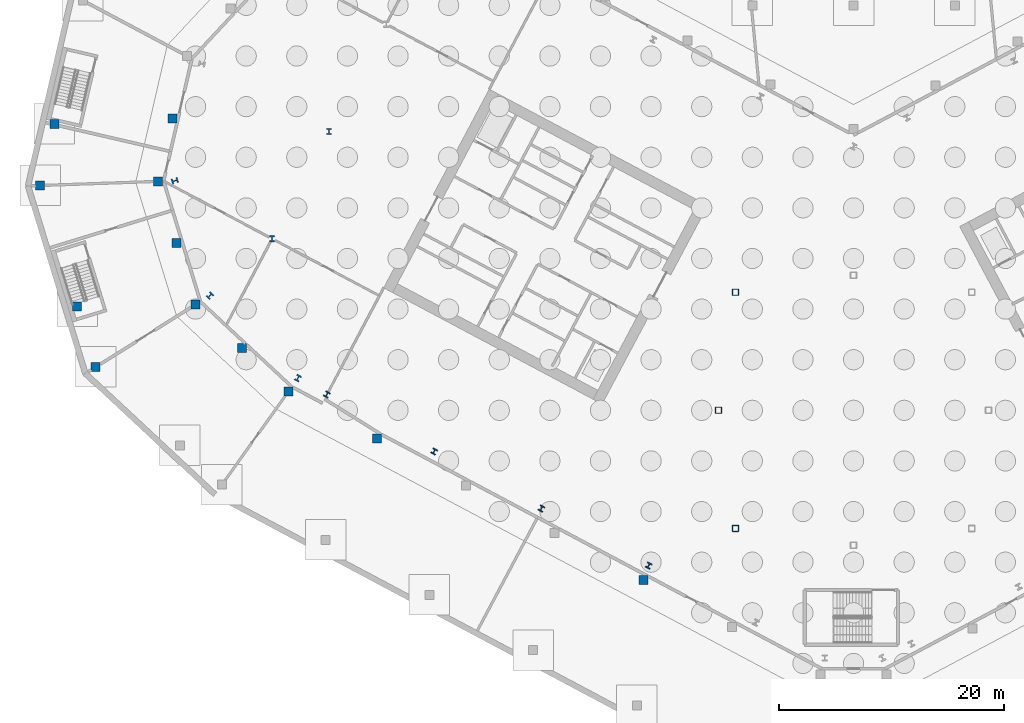
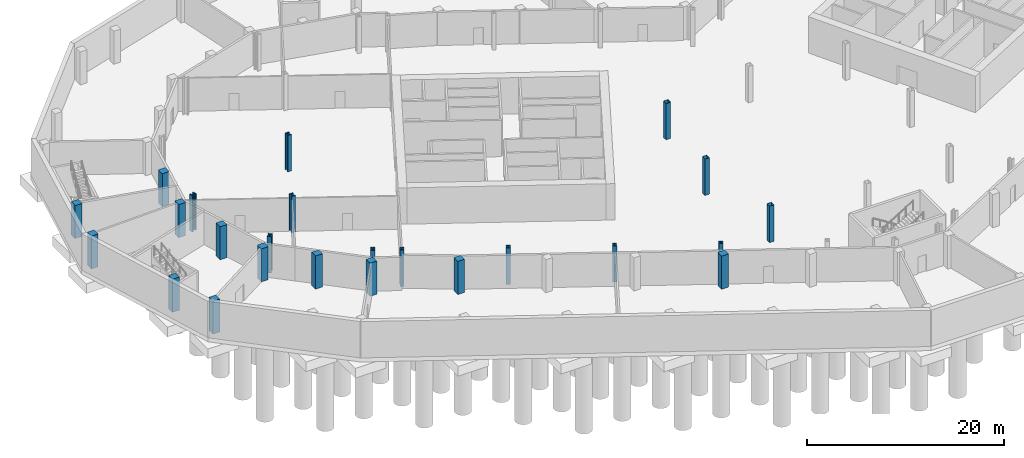
# One storey, part 3 of 29: 24 columns.
"""IFC4 building model written with IfcOpenShell, lengths in metres."""

from ifc_helpers import new_model, si_unit, direction, frame, origin, origin_2d, place, context, subcontext, project, spatial, rectangle, hollow_rectangle, i_section, extrude, material, material_profile, profile_set, type_object, element, save


model = new_model("IFC4")

# Units and contexts
model_context = context("Model", 3, precision=1e-05, world=origin(), true_north=direction((0.0, 1.0)))
body_context = subcontext(model_context, "Body", "Model", "MODEL_VIEW")
ifc_project = project(units=[si_unit("LENGTHUNIT", "METRE"), si_unit("AREAUNIT", "SQUARE_METRE"), si_unit("VOLUMEUNIT", "CUBIC_METRE"), si_unit("PLANEANGLEUNIT", "RADIAN"), si_unit("MASSUNIT", "GRAM", prefix="KILO")], contexts=[model_context])

# Site, building, storey
site_placement = place(None, origin())
site = spatial("IfcSite", under=ifc_project, at=site_placement, CompositionType="ELEMENT")
building_placement = place(site_placement, origin())
building = spatial("IfcBuilding", under=site, at=building_placement, Name="Cormorant Relay Tower", CompositionType="ELEMENT")
storey_placement = place(building_placement, frame((0.0, 0.0, -9.0)))
storey = spatial("IfcBuildingStorey", under=building, at=storey_placement, Name="B2", CompositionType="ELEMENT", Elevation=-9.0)

# Columns
ifc_material_1 = material(Name="Concrete 50 MPa", Category="concrete")
ifc_material_profile_1 = material_profile(ifc_material_1, rectangle(XDim=0.800048828125, YDim=0.800048828125, at=origin_2d()), Name="RC 800x800")
ifc_profile_set_1 = profile_set([ifc_material_profile_1], Name="Concrete 50 MPa")
column_type_1 = type_object("IfcColumnType", Name="Base column 800 x 800", PredefinedType="COLUMN", material=ifc_profile_set_1)
for number, where, z_axis, x_axis, name in (
    (1, (-18.694091796875, -15.090087890625, 0.0), (0.0, 0.0, 1.0), (1.0, 0.0, 0.0), "Base column"),
    (2, (-42.35009765625, -2.511962890625, 0.0), (0.0, 0.0, 1.0), (1.0, 0.0, 0.0), "Base column"),
    (3, (-50.236083984375, 1.680908203125, 0.0), (0.0, 0.0, 1.0), (1.0, 0.0, 0.0), "Base column"),
    (4, (-67.375, 3.85302734375, 0.0), (0.0, 0.0, 1.0), (1.0, 0.0, 0.0), "Base column"),
    (5, (-54.3720703125, 5.5380859375, 0.0), (0.0, 0.0, 1.0), (1.0, 0.0, 0.0), "Base column"),
    (6, (-69.01904296875, 9.23193359375, 0.0), (0.0, 0.0, 1.0), (1.0, 0.0, 0.0), "Base column"),
    (7, (-58.507080078125, 9.39404296875, 0.0), (0.0, 0.0, 1.0), (1.0, 0.0, 0.0), "Base column"),
    (8, (-60.18310546875, 14.8740234375, 0.0), (0.0, 0.0, 1.0), (1.0, 0.0, 0.0), "Base column"),
    (9, (-72.30810546875, 19.989013671875, 0.0), (0.0, 0.0, 1.0), (1.0, 0.0, 0.0), "Base column"),
    (10, (-61.85791015625, 20.35400390625, 0.0), (0.0, 0.0, 1.0), (1.0, 0.0, 0.0), "Base column"),
    (11, (-71.04296875, 25.468994140625, 0.0), (0.0, 0.0, 1.0), (1.0, 0.0, 0.0), "Base column"),
    (12, (-60.569091796875, 25.93701171875, 0.0), (0.0, 0.0, 1.0), (1.0, 0.0, 0.0), "Base column"),
):
    element("IfcColumn", number, at=place(storey_placement, frame(where, z_axis=z_axis, x_axis=x_axis)), inside=storey, type_object=column_type_1, Name=name, PredefinedType="COLUMN", context=body_context, shape_type="SweptSolid", body=[
        extrude(rectangle(XDim=0.800048828125, YDim=0.800048828125, at=origin_2d()), origin(), (0.0, 0.0, 1.0), 4.10009765625),
    ])
ifc_material_2 = material(Name="Steel ASTM A1085 Grade A (Fy 345 MPa)", Category="steel")
ifc_material_profile_2 = material_profile(ifc_material_2, hollow_rectangle(XDim=0.558837890625, YDim=0.558837890625, WallThickness=0.023681640625, InnerFilletRadius=0.01171875, OuterFilletRadius=0.035400390625, at=origin_2d()), Name="HSS559x559x24")
ifc_profile_set_2 = profile_set([ifc_material_profile_2], Name="Steel ASTM A1085 Grade A (Fy 345 MPa)")
column_type_2 = type_object("IfcColumnType", Name="Column HSS559x559x24", PredefinedType="COLUMN", material=ifc_profile_set_2)
for number, where, z_axis, x_axis, name in (
    (13, (-10.5, -10.5, 0.0), (0.0, 0.0, 1.0), (1.0, 0.0, 0.0), "Column B2-009"),
    (14, (-12.0, 0.0, 0.0), (0.0, 0.0, 1.0), (1.0, 0.0, 0.0), "Column B2-015"),
    (15, (-10.5, 10.5, 0.0), (0.0, 0.0, 1.0), (1.0, 0.0, 0.0), "Column B2-022"),
):
    element("IfcColumn", number, at=place(storey_placement, frame(where, z_axis=z_axis, x_axis=x_axis)), inside=storey, type_object=column_type_2, Name=name, PredefinedType="COLUMN", context=body_context, shape_type="SweptSolid", body=[
        extrude(hollow_rectangle(XDim=0.558837890625, YDim=0.558837890625, WallThickness=0.023681640625, InnerFilletRadius=0.01171875, OuterFilletRadius=0.035400390625, at=origin_2d()), origin(), (0.0, 0.0, 1.0), 4.5),
    ])
ifc_material_3 = material(Name="Steel ASTM A992 (Fy 345 MPa)", Category="steel")
ifc_material_profile_3 = material_profile(ifc_material_3, i_section(OverallWidth=0.45458984375, OverallDepth=0.569091796875, WebThickness=0.077880859375, FlangeThickness=0.124755859375, FilletRadius=0.015380859375, at=origin_2d()), Name="W360x1086")
ifc_profile_set_3 = profile_set([ifc_material_profile_3], Name="Steel ASTM A992 (Fy 345 MPa)")
column_type_3 = type_object("IfcColumnType", Name="Column W360x1086", PredefinedType="COLUMN", material=ifc_profile_set_3)
for number, where, z_axis, x_axis, name in (
    (16, (-49.39404296875, 2.861083984375, 0.0), (0.0, 0.0, 1.0), (0.882947592859, -0.469471562786, 0.0), "Column B2-018"),
    (17, (-57.218994140625, 10.198974609375, 0.0), (0.0, 0.0, 1.0), (0.731353701619, -0.681998360062, 0.0), "Column B2-021"),
    (18, (-51.68994140625, 15.251953125, 0.0), (0.0, 0.0, 1.0), (1.0, 0.0, 0.0), "Column B2-027"),
    (19, (-60.340087890625, 20.406982421875, 0.0), (0.0, 0.0, 1.0), (0.292371704723, -0.956304755963, 0.0), "Column B2-030"),
    (20, (-46.6201171875, 24.7880859375, 0.0), (0.0, 0.0, 1.0), (1.0, 0.0, 0.0), "Column B2-034"),
):
    element("IfcColumn", number, at=place(storey_placement, frame(where, z_axis=z_axis, x_axis=x_axis)), inside=storey, type_object=column_type_3, Name=name, PredefinedType="COLUMN", context=body_context, shape_type="SweptSolid", body=[
        extrude(i_section(OverallWidth=0.45458984375, OverallDepth=0.569091796875, WebThickness=0.077880859375, FlangeThickness=0.124755859375, FilletRadius=0.015380859375, at=origin_2d()), origin(), (0.0, 0.0, 1.0), 4.5),
    ])
ifc_material_4 = material(Name="Steel ASTM A992 (Fy 345 MPa)", Category="steel")
ifc_material_profile_4 = material_profile(ifc_material_4, i_section(OverallWidth=0.43701171875, OverallDepth=0.51318359375, WebThickness=0.060546875, FlangeThickness=0.096923828125, FilletRadius=0.015380859375, at=origin_2d()), Name="W360x818")
ifc_profile_set_4 = profile_set([ifc_material_profile_4], Name="Steel ASTM A992 (Fy 345 MPa)")
column_type_4 = type_object("IfcColumnType", Name="Column W360x818", PredefinedType="COLUMN", material=ifc_profile_set_4)
for number, where, z_axis, x_axis, name in (
    (21, (-18.212890625, -13.804931640625, 0.0), (0.0, 0.0, 1.0), (0.882947592859, -0.469471562786, 0.0), "Column B2-006"),
    (22, (-27.7490234375, -8.735107421875, 0.0), (0.0, 0.0, 1.0), (0.882947592859, -0.469471562786, 0.0), "Column B2-011"),
    (23, (-37.284912109375, -3.6650390625, 0.0), (0.0, 0.0, 1.0), (0.882947592859, -0.469471562786, 0.0), "Column B2-013"),
    (24, (-46.821044921875, 1.405029296875, 0.0), (0.0, 0.0, 1.0), (0.882947592859, -0.469471562786, 0.0), "Column B2-017"),
):
    element("IfcColumn", number, at=place(storey_placement, frame(where, z_axis=z_axis, x_axis=x_axis)), inside=storey, type_object=column_type_4, Name=name, PredefinedType="COLUMN", context=body_context, shape_type="SweptSolid", body=[
        extrude(i_section(OverallWidth=0.43701171875, OverallDepth=0.51318359375, WebThickness=0.060546875, FlangeThickness=0.096923828125, FilletRadius=0.015380859375, at=origin_2d()), origin(), (0.0, 0.0, 1.0), 4.5),
    ])

save(model, "model.ifc")
